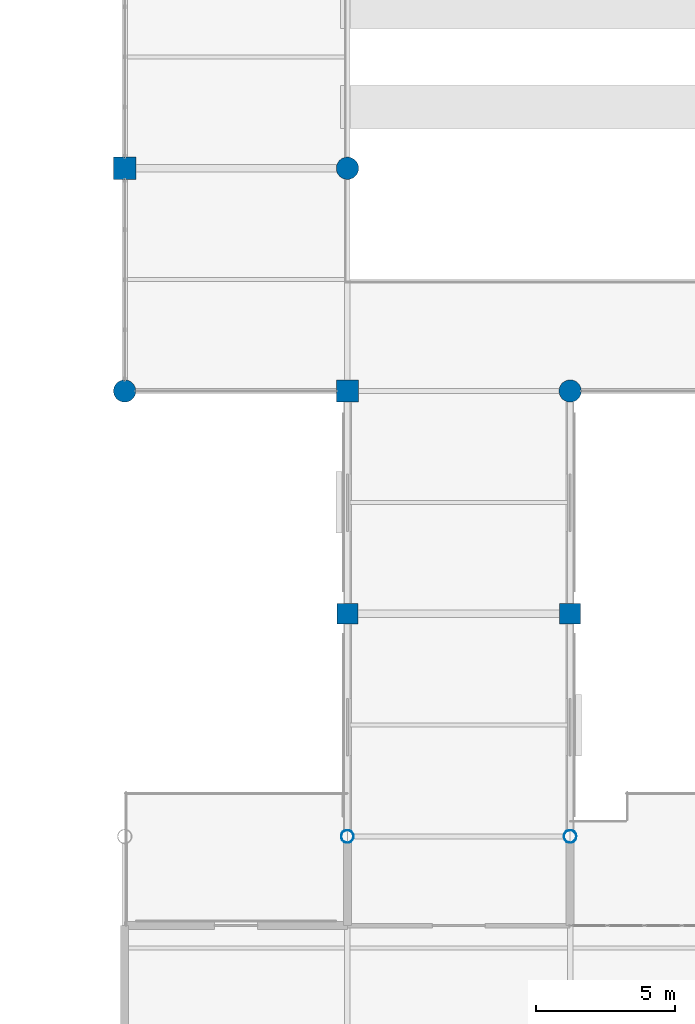
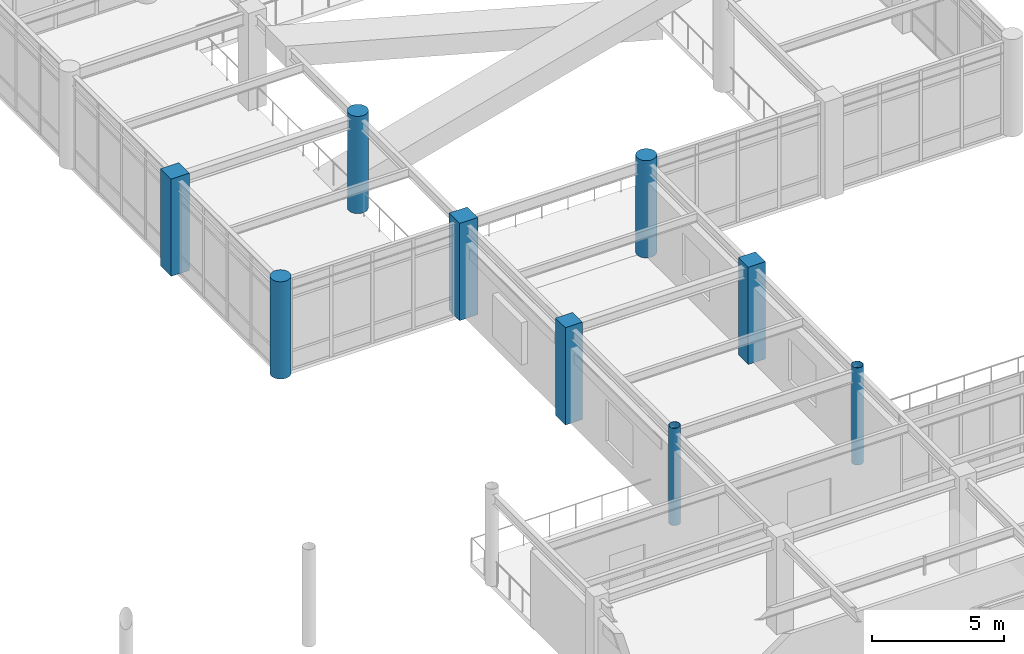
# One storey, part 3 of 75: 9 columns.
"""IFC4 building model written with IfcOpenShell, lengths in metres."""

from ifc_helpers import new_model, si_unit, direction, frame, origin, origin_2d, place, context, subcontext, project, spatial, rectangle, circle, hollow_circle, extrude, material, material_profile, profile_set, type_object, element, save


model = new_model("IFC4")

# Units and contexts
model_context = context("Model", 3, precision=1e-05, world=origin(), true_north=direction((0.0, 1.0)))
body_context = subcontext(model_context, "Body", "Model", "MODEL_VIEW")
ifc_project = project(units=[si_unit("LENGTHUNIT", "METRE"), si_unit("AREAUNIT", "SQUARE_METRE"), si_unit("VOLUMEUNIT", "CUBIC_METRE"), si_unit("PLANEANGLEUNIT", "RADIAN"), si_unit("MASSUNIT", "GRAM", prefix="KILO")], contexts=[model_context])

# Site, building, storey
site_placement = place(None, origin())
site = spatial("IfcSite", under=ifc_project, at=site_placement, CompositionType="ELEMENT")
building_placement = place(site_placement, origin())
building = spatial("IfcBuilding", under=site, at=building_placement, Name="Solmirada Galleria", CompositionType="ELEMENT")
storey_placement = place(building_placement, frame((0.0, 0.0, 19.39990234375)))
storey = spatial("IfcBuildingStorey", under=building, at=storey_placement, Name="L04", CompositionType="ELEMENT", Elevation=19.39990234375)

# Columns
ifc_material_1 = material(Name="Steel S355 / ASTM A500 Grade C", Category="steel")
ifc_material_profile_1 = material_profile(ifc_material_1, hollow_circle(Radius=0.228515625, WallThickness=0.01171875, at=origin_2d()), Name="HSS18.000X0.500")
ifc_profile_set_1 = profile_set([ifc_material_profile_1], Name="Steel S355 / ASTM A500 Grade C")
column_type_1 = type_object("IfcColumnType", Name="COL-CHS18", PredefinedType="COLUMN", material=ifc_profile_set_1)
for number, where, z_axis, x_axis, name in (
    (1, (88.0, 32.0, 0.0), (0.0, 0.0, 1.0), (1.0, 0.0, 0.0), "Structural column L04-0499"),
    (2, (96.0, 32.0, 0.0), (0.0, 0.0, 1.0), (1.0, 0.0, 0.0), "Structural column L04-0621"),
):
    element("IfcColumn", number, at=place(storey_placement, frame(where, z_axis=z_axis, x_axis=x_axis)), inside=storey, type_object=column_type_1, Name=name, PredefinedType="COLUMN", context=body_context, shape_type="SweptSolid", body=[
        extrude(hollow_circle(Radius=0.228515625, WallThickness=0.01171875, at=origin_2d()), origin(), (0.0, 0.0, 1.0), 4.5),
    ])
ifc_material_2 = material(Name="Concrete C40/50", Category="concrete")
ifc_material_profile_2 = material_profile(ifc_material_2, circle(Radius=0.39990234375, at=origin_2d()), Name="RCCOL800")
ifc_profile_set_2 = profile_set([ifc_material_profile_2], Name="Concrete C40/50")
column_type_2 = type_object("IfcColumnType", Name="COL-CIR800", PredefinedType="COLUMN", material=ifc_profile_set_2)
for number, where, z_axis, x_axis, name in (
    (3, (80.0, 48.0, 0.0), (0.0, 0.0, 1.0), (1.0, 0.0, 0.0), "Structural column L04-0392"),
    (4, (88.0, 56.0, 0.0), (0.0, 0.0, 1.0), (1.0, 0.0, 0.0), "Structural column L04-0524"),
    (5, (96.0, 48.0, 0.0), (0.0, 0.0, 1.0), (1.0, 0.0, 0.0), "Structural column L04-0637"),
):
    element("IfcColumn", number, at=place(storey_placement, frame(where, z_axis=z_axis, x_axis=x_axis)), inside=storey, type_object=column_type_2, Name=name, PredefinedType="COLUMN", context=body_context, shape_type="SweptSolid", body=[
        extrude(circle(Radius=0.39990234375, at=origin_2d()), origin(), (0.0, 0.0, 1.0), 4.5),
    ])
ifc_material_profile_3 = material_profile(ifc_material_2, rectangle(XDim=0.75, YDim=0.75, at=origin_2d()), Name="RC750X750")
ifc_profile_set_3 = profile_set([ifc_material_profile_3], Name="Concrete C40/50")
column_type_3 = type_object("IfcColumnType", Name="COL-RC750", PredefinedType="COLUMN", material=ifc_profile_set_3)
for number, where, z_axis, x_axis, name in (
    (6, (88.0, 40.0, 0.0), (0.0, 0.0, 1.0), (1.0, 0.0, 0.0), "Structural column L04-0507"),
    (7, (96.0, 40.0, 0.0), (0.0, 0.0, 1.0), (1.0, 0.0, 0.0), "Structural column L04-0629"),
):
    element("IfcColumn", number, at=place(storey_placement, frame(where, z_axis=z_axis, x_axis=x_axis)), inside=storey, type_object=column_type_3, Name=name, PredefinedType="COLUMN", context=body_context, shape_type="SweptSolid", body=[
        extrude(rectangle(XDim=0.75, YDim=0.75, at=origin_2d()), origin(), (0.0, 0.0, 1.0), 4.5),
    ])
ifc_material_profile_4 = material_profile(ifc_material_2, rectangle(XDim=0.800048828125, YDim=0.800048828125, at=origin_2d()), Name="RC800X800")
ifc_profile_set_4 = profile_set([ifc_material_profile_4], Name="Concrete C40/50")
column_type_4 = type_object("IfcColumnType", Name="COL-RC800", PredefinedType="COLUMN", material=ifc_profile_set_4)
for number, where, z_axis, x_axis, name in (
    (8, (80.0, 56.0, 0.0), (0.0, 0.0, 1.0), (1.0, 0.0, 0.0), "Structural column L04-0401"),
    (9, (88.0, 48.0, 0.0), (0.0, 0.0, 1.0), (1.0, 0.0, 0.0), "Structural column L04-0515"),
):
    element("IfcColumn", number, at=place(storey_placement, frame(where, z_axis=z_axis, x_axis=x_axis)), inside=storey, type_object=column_type_4, Name=name, PredefinedType="COLUMN", context=body_context, shape_type="SweptSolid", body=[
        extrude(rectangle(XDim=0.800048828125, YDim=0.800048828125, at=origin_2d()), origin(), (0.0, 0.0, 1.0), 4.5),
    ])

save(model, "model.ifc")
